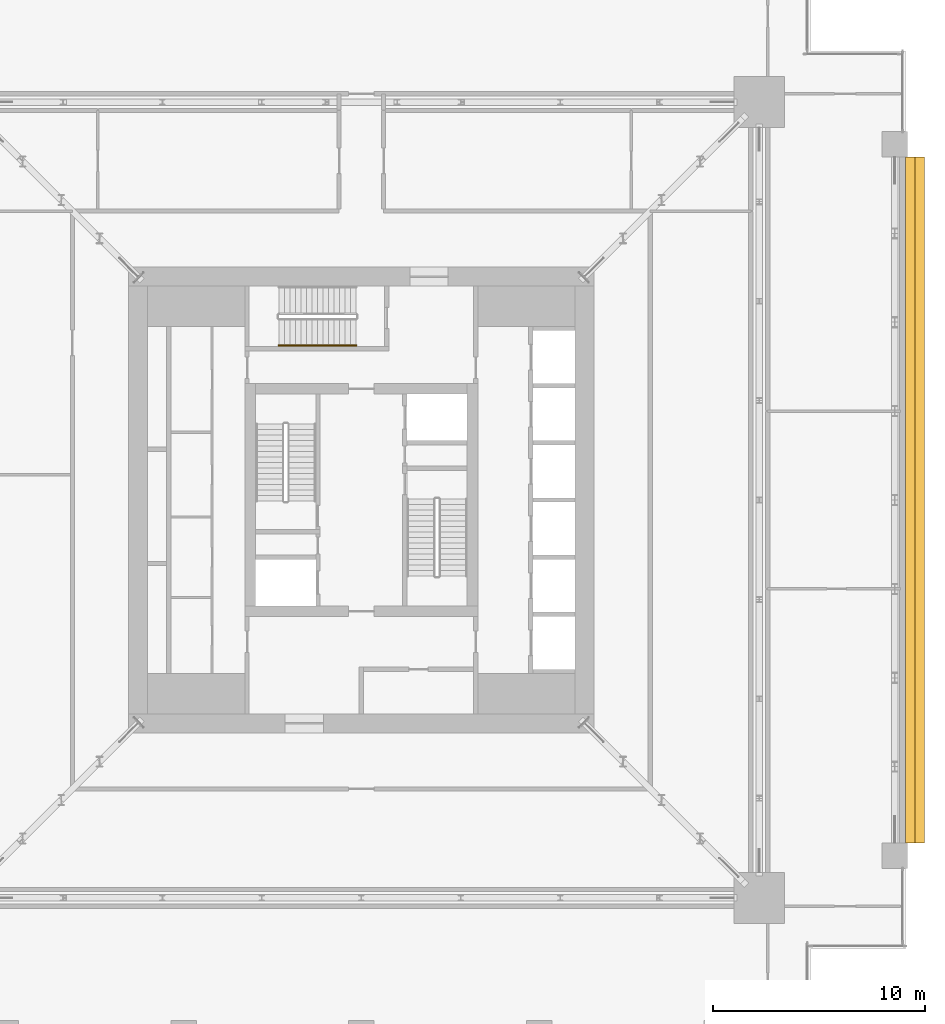
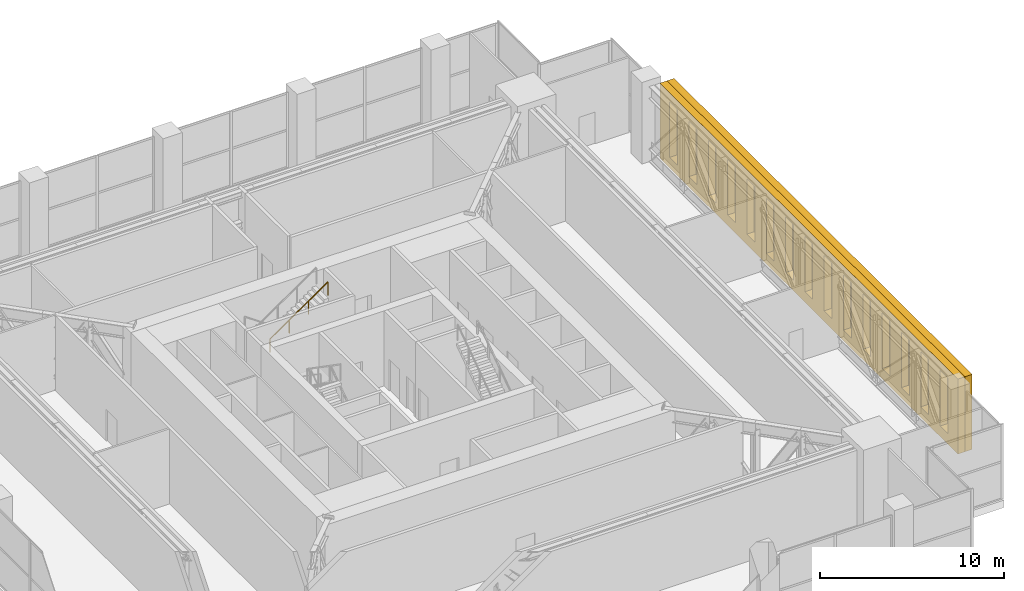
# One storey, part 20 of 21: 2 shading devices, 1 railing.
"""IFC4 building model written with IfcOpenShell, lengths in metres."""

import ifcopenshell
import ifcopenshell.guid

model = None  # the IFC model being written
_history = None  # IfcOwnerHistory: only IFC2X3 demands one
_inside = {}  # id of a spatial element -> (the spatial element, [elements in it])
_under = {}  # id of a project, library or spatial element -> (it, [spatial elements below it])
_declared = {}  # id of a project -> (the project, [libraries it declares])
_typed = {}  # id of a type object -> (the type object, [elements of that type])
_made_of = {}  # id of a material, layer set ... -> (it, [elements and type objects made of it])


def new_model(schema):
    """Start an empty IFC model of exactly this schema.

    Asked for "IFC4X3", IfcOpenShell would pick the latest addendum, in which some entities
    have other attributes; the version numbers below select the first issue.
    IFC2X3 requires an IfcOwnerHistory on every rooted entity: one is made here for all.
    """
    global model, _history
    if schema == "IFC4X3":
        model = ifcopenshell.file(schema_version=(4, 3, 0, 0))
    else:
        model = ifcopenshell.file(schema=schema)
    _inside.clear()
    _under.clear()
    _declared.clear()
    _typed.clear()
    _made_of.clear()
    _history = None
    if model.schema == "IFC2X3":
        org = make("IfcOrganization", Name="unknown")
        user = make(
            "IfcPersonAndOrganization",
            ThePerson=make("IfcPerson", FamilyName="unknown"),
            TheOrganization=org,
        )
        app = make(
            "IfcApplication",
            ApplicationDeveloper=org,
            Version="unknown",
            ApplicationFullName="unknown",
            ApplicationIdentifier="unknown",
        )
        _history = make(
            "IfcOwnerHistory",
            OwningUser=user,
            OwningApplication=app,
            ChangeAction="ADDED",
            CreationDate=0,
        )
    return model


def make(cls, **values):
    """One entity of the class cls with the attributes given. An attribute that is None is left unset."""
    return model.create_entity(
        cls, **{name: value for name, value in values.items() if value is not None}
    )


def rooted(cls, **values):
    """An entity with a GlobalId (a new one), such as an element, a storey or a relation."""
    return make(cls, GlobalId=ifcopenshell.guid.new(), OwnerHistory=_history, **values)


def si_unit(unit_type, name, prefix=None):
    """IfcSIUnit, for example si_unit("LENGTHUNIT", "METRE", prefix="MILLI")."""
    return make("IfcSIUnit", UnitType=unit_type, Prefix=prefix, Name=name)


def assignment(units):
    """IfcUnitAssignment: the units of a project."""
    return None if units is None else make("IfcUnitAssignment", Units=units)


def point(xyz):
    """IfcCartesianPoint."""
    return None if xyz is None else make("IfcCartesianPoint", Coordinates=xyz)


def direction(xyz):
    """IfcDirection."""
    return None if xyz is None else make("IfcDirection", DirectionRatios=xyz)


def frame(location, z_axis=None, x_axis=None):
    """IfcAxis2Placement3D, a coordinate frame: its origin and axes. An axis left out is left unset."""
    return make(
        "IfcAxis2Placement3D",
        Location=point(location),
        Axis=direction(z_axis),
        RefDirection=direction(x_axis),
    )


def frame_2d(location, x_axis=None):
    """IfcAxis2Placement2D, a coordinate frame in the plane: its origin and x axis."""
    return make(
        "IfcAxis2Placement2D", Location=point(location), RefDirection=direction(x_axis)
    )


def origin():
    """The frame at (0, 0, 0) with its axes left unset."""
    return frame((0.0, 0.0, 0.0))


def origin_2d():
    """The frame at (0, 0) in the plane with its x axis left unset."""
    return frame_2d((0.0, 0.0))


def place(relative_to, where):
    """IfcLocalPlacement: puts the frame where relative to a parent placement (None: the world)."""
    return make(
        "IfcLocalPlacement", PlacementRelTo=relative_to, RelativePlacement=where
    )


def context(
    kind, dimensions, precision=None, world=None, true_north=None, identifier=None
):
    """IfcGeometricRepresentationContext, for example the 3D "Model" context."""
    return make(
        "IfcGeometricRepresentationContext",
        ContextIdentifier=identifier,
        ContextType=kind,
        CoordinateSpaceDimension=dimensions,
        Precision=precision,
        WorldCoordinateSystem=world,
        TrueNorth=true_north,
    )


def subcontext(parent, identifier, kind, view, scale=None):
    """IfcGeometricRepresentationSubContext, for example "Body" below "Model"."""
    return make(
        "IfcGeometricRepresentationSubContext",
        ContextIdentifier=identifier,
        ContextType=kind,
        ParentContext=parent,
        TargetScale=scale,
        TargetView=view,
    )


def project(units=None, contexts=None):
    """IfcProject with its units and contexts."""
    return rooted(
        "IfcProject",
        Name="project",
        RepresentationContexts=contexts,
        UnitsInContext=assignment(units),
    )


def spatial(cls, under=None, at=None, **own):
    """A site, building, storey or space (cls), placed at a placement, below another one or the project."""
    s = rooted(cls, ObjectPlacement=at, **own)
    if under is not None:
        _under.setdefault(under.id(), (under, []))[1].append(s)
    return s


def polyline(points):
    """IfcPolyline through the points."""
    return make("IfcPolyline", Points=[point(p) for p in points])


def profile(cls, at=None, kind="AREA", **sizes):
    """A parametric profile (cls). Its sizes go by their IFC names, for example OverallWidth=200.0."""
    return make(cls, ProfileType=kind, Position=at, **sizes)


def rectangle(**sizes):
    """IfcRectangleProfileDef."""
    return profile("IfcRectangleProfileDef", **sizes)


def outline(outer, holes=None, kind="AREA"):
    """IfcArbitraryClosedProfileDef: a profile drawn as a closed curve; with holes, ...WithVoids."""
    if holes is None:
        return make("IfcArbitraryClosedProfileDef", ProfileType=kind, OuterCurve=outer)
    return make(
        "IfcArbitraryProfileDefWithVoids",
        ProfileType=kind,
        OuterCurve=outer,
        InnerCurves=holes,
    )


def extrude(swept, where, along, depth):
    """IfcExtrudedAreaSolid: the profile swept, set in the frame where, extruded along a direction by depth."""
    return make(
        "IfcExtrudedAreaSolid",
        SweptArea=swept,
        Position=where,
        ExtrudedDirection=direction(along),
        Depth=depth,
    )


def shape(context_of_items, identifier, shape_type, items):
    """IfcShapeRepresentation: the items that make up one representation, for example the "Body"."""
    return make(
        "IfcShapeRepresentation",
        ContextOfItems=context_of_items,
        RepresentationIdentifier=identifier,
        RepresentationType=shape_type,
        Items=items,
    )


def material(Name=None, Category=None):
    """IfcMaterial."""
    return make("IfcMaterial", Name=Name, Category=Category)


def made_of(thing, what):
    """Note that an element or type object is made of a material, layer set ...; save() writes the relation."""
    if what is not None:
        _made_of.setdefault(what.id(), (what, []))[1].append(thing)
    return thing


def type_object(cls, material=None, **own):
    """A type object (cls), such as IfcWallType, which elements share."""
    return made_of(rooted(cls, **own), material)


def element(
    cls,
    number,
    at=None,
    inside=None,
    cuts=None,
    type_object=None,
    material=None,
    context=None,
    identifier="Body",
    shape_type=None,
    held_by="IfcProductDefinitionShape",
    body=None,
    shapes=None,
    **own,
):
    """One element of the class cls, such as IfcWall. Its Tag is "e" and its number.

    at: its placement. inside: the storey or other place that contains it. cuts: it is an
    opening in that element (IfcRelVoidsElement). A single representation is given by context,
    identifier, shape_type and body (its items); several are given by shapes. held_by: the class
    of the entity that holds the representations. save() writes the other relations.
    """
    e = rooted(cls, Tag="e%d" % number, ObjectPlacement=at, **own)
    if body is not None:
        shapes = [shape(context, identifier, shape_type, body)]
    if shapes is not None:
        e.Representation = make(held_by, Representations=shapes)
    if inside is not None:
        _inside.setdefault(inside.id(), (inside, []))[1].append(e)
    if cuts is not None:
        rooted(
            "IfcRelVoidsElement", RelatingBuildingElement=cuts, RelatedOpeningElement=e
        )
    if type_object is not None:
        _typed.setdefault(type_object.id(), (type_object, []))[1].append(e)
    return made_of(e, material)


def aggregate(whole, parts):
    """IfcRelAggregates: a whole, such as a stair, and the parts it consists of."""
    return rooted("IfcRelAggregates", RelatingObject=whole, RelatedObjects=parts)


def save(model, path):
    """Write the relations noted so far, then the file.

    IfcRelAggregates (storeys below a building ...), IfcRelContainedInSpatialStructure (elements
    in a storey), IfcRelDefinesByType, IfcRelAssociatesMaterial and IfcRelDeclares: one each for
    every whole, place, type object, material and project.
    """
    for whole, parts in _under.values():
        aggregate(whole, parts)
    for where, things in _inside.values():
        rooted(
            "IfcRelContainedInSpatialStructure",
            RelatedElements=things,
            RelatingStructure=where,
        )
    for kind, things in _typed.values():
        rooted("IfcRelDefinesByType", RelatedObjects=things, RelatingType=kind)
    for what, things in _made_of.values():
        rooted("IfcRelAssociatesMaterial", RelatedObjects=things, RelatingMaterial=what)
    for by, libraries in _declared.values():
        rooted("IfcRelDeclares", RelatingContext=by, RelatedDefinitions=libraries)
    model.write(path)


model = new_model("IFC4")

# Units and contexts
model_context = context("Model", 3, precision=1e-05, world=origin(), true_north=direction((0.0, 1.0)))
body_context = subcontext(model_context, "Body", "Model", "MODEL_VIEW")
ifc_project = project(units=[si_unit("LENGTHUNIT", "METRE"), si_unit("AREAUNIT", "SQUARE_METRE"), si_unit("VOLUMEUNIT", "CUBIC_METRE"), si_unit("PLANEANGLEUNIT", "RADIAN"), si_unit("MASSUNIT", "GRAM", prefix="KILO")], contexts=[model_context])

# Site, building, storey
site_placement = place(None, origin())
site = spatial("IfcSite", under=ifc_project, at=site_placement, CompositionType="ELEMENT")
building_placement = place(site_placement, origin())
building = spatial("IfcBuilding", under=site, at=building_placement, Name="Khepri Terraces", CompositionType="ELEMENT")
storey_placement = place(building_placement, frame((0.0, 0.0, 235.199951171875)))
storey = spatial("IfcBuildingStorey", under=building, at=storey_placement, Name="L56", CompositionType="ELEMENT", Elevation=235.199951171875)

# Railing
ifc_material_1 = material(Name="Stainless steel 316", Category="steel")
railing_type = type_object("IfcRailingType", Name="RL-CORE-HANDRAIL", PredefinedType="HANDRAIL", material=ifc_material_1)
railing_placement = place(storey_placement, frame((-3.889892578125, 7.300048828125, 2.880126953125)))
element("IfcRailing", 1, at=railing_placement, inside=storey, type_object=railing_type, Name="L56 ST-3 stair handrail 2", PredefinedType="HANDRAIL", context=body_context, shape_type="SweptSolid", body=[
    extrude(rectangle(XDim=0.050048828125, YDim=0.050048828125, at=origin_2d()), frame((0.0, 0.0, 0.875), z_axis=(0.822182265111, 0.0, 0.569224316888), x_axis=(0.0, 1.0, 0.0)), (0.0, 0.0, 1.0), 4.427001953125),
    extrude(rectangle(XDim=0.050048828125, YDim=0.050048828125, at=origin_2d()), origin(), (0.0, 0.0, 1.0), 0.849853515625),
    extrude(rectangle(XDim=0.050048828125, YDim=0.050048828125, at=origin_2d()), frame((1.21337890625, 0.0, 0.840087890625)), (0.0, 0.0, 1.0), 0.849853515625),
    extrude(rectangle(XDim=0.050048828125, YDim=0.050048828125, at=origin_2d()), frame((2.426513671875, 0.0, 1.679931640625)), (0.0, 0.0, 1.0), 0.849853515625),
    extrude(rectangle(XDim=0.050048828125, YDim=0.050048828125, at=origin_2d()), frame((3.639892578125, 0.0, 2.52001953125)), (0.0, 0.0, 1.0), 0.849853515625),
])

# Shading devices
ifc_material_2 = material(Name="Precast concrete C50/60 warm stone", Category="masonry")
shading_device_type_1 = type_object("IfcShadingDeviceType", Name="SCR-CELL-INNER-450", PredefinedType="USERDEFINED", material=ifc_material_2)
shading_device_1_placement = place(storey_placement, frame((25.719970703125, -16.199951171875, 0.0), z_axis=(1.0, 0.0, 0.0), x_axis=(0.0, 1.0, 0.0)))
element("IfcShadingDevice", 2, at=shading_device_1_placement, inside=storey, type_object=shading_device_type_1, Name="Cell screen L56 E in", ObjectType="SCREEN", PredefinedType="USERDEFINED", context=body_context, shape_type="SweptSolid", body=[
    extrude(outline(polyline([(0.0, 0.0), (32.39990234375, 0.0), (32.39990234375, 4.97998046875), (0.0, 4.97998046875), (0.0, 0.0)]), holes=[polyline([(1.07373046875, 0.699951171875), (1.92626953125, 0.699951171875), (1.92626953125, 4.3798828125), (1.07373046875, 4.3798828125), (1.07373046875, 0.699951171875)]), polyline([(3.173583984375, 0.699951171875), (4.0263671875, 0.699951171875), (4.0263671875, 4.3798828125), (3.173583984375, 4.3798828125), (3.173583984375, 0.699951171875)]), polyline([(5.273681640625, 0.699951171875), (6.126220703125, 0.699951171875), (6.126220703125, 4.3798828125), (5.273681640625, 4.3798828125), (5.273681640625, 0.699951171875)]), polyline([(7.373779296875, 0.699951171875), (8.226318359375, 0.699951171875), (8.226318359375, 4.3798828125), (7.373779296875, 4.3798828125), (7.373779296875, 0.699951171875)]), polyline([(9.4736328125, 0.699951171875), (10.326416015625, 0.699951171875), (10.326416015625, 4.3798828125), (9.4736328125, 4.3798828125), (9.4736328125, 0.699951171875)]), polyline([(11.57373046875, 0.699951171875), (12.42626953125, 0.699951171875), (12.42626953125, 4.3798828125), (11.57373046875, 4.3798828125), (11.57373046875, 0.699951171875)]), polyline([(13.673583984375, 0.699951171875), (14.5263671875, 0.699951171875), (14.5263671875, 4.3798828125), (13.673583984375, 4.3798828125), (13.673583984375, 0.699951171875)]), polyline([(15.773681640625, 0.699951171875), (16.626220703125, 0.699951171875), (16.626220703125, 4.3798828125), (15.773681640625, 4.3798828125), (15.773681640625, 0.699951171875)]), polyline([(17.873779296875, 0.699951171875), (18.726318359375, 0.699951171875), (18.726318359375, 4.3798828125), (17.873779296875, 4.3798828125), (17.873779296875, 0.699951171875)]), polyline([(19.9736328125, 0.699951171875), (20.826416015625, 0.699951171875), (20.826416015625, 4.3798828125), (19.9736328125, 4.3798828125), (19.9736328125, 0.699951171875)]), polyline([(22.07373046875, 0.699951171875), (22.92626953125, 0.699951171875), (22.92626953125, 4.3798828125), (22.07373046875, 4.3798828125), (22.07373046875, 0.699951171875)]), polyline([(24.173583984375, 0.699951171875), (25.0263671875, 0.699951171875), (25.0263671875, 4.3798828125), (24.173583984375, 4.3798828125), (24.173583984375, 0.699951171875)]), polyline([(26.273681640625, 0.699951171875), (27.126220703125, 0.699951171875), (27.126220703125, 4.3798828125), (26.273681640625, 4.3798828125), (26.273681640625, 0.699951171875)]), polyline([(28.373779296875, 0.699951171875), (29.226318359375, 0.699951171875), (29.226318359375, 4.3798828125), (28.373779296875, 4.3798828125), (28.373779296875, 0.699951171875)]), polyline([(30.4736328125, 0.699951171875), (31.326416015625, 0.699951171875), (31.326416015625, 4.3798828125), (30.4736328125, 4.3798828125), (30.4736328125, 0.699951171875)])]), origin(), (0.0, 0.0, 1.0), 0.449951171875),
])
shading_device_type_2 = type_object("IfcShadingDeviceType", Name="SCR-CELL-OUTER-450", PredefinedType="USERDEFINED", material=ifc_material_2)
shading_device_2_placement = place(storey_placement, frame((26.169921875, -16.199951171875, 0.0), z_axis=(1.0, 0.0, 0.0), x_axis=(0.0, 1.0, 0.0)))
element("IfcShadingDevice", 3, at=shading_device_2_placement, inside=storey, type_object=shading_device_type_2, Name="Cell screen L56 E out", ObjectType="SCREEN", PredefinedType="USERDEFINED", context=body_context, shape_type="SweptSolid", body=[
    extrude(outline(polyline([(0.0, 0.0), (32.39990234375, 0.0), (32.39990234375, 4.97998046875), (0.0, 4.97998046875), (0.0, 0.0)]), holes=[polyline([(0.7236328125, 0.449951171875), (2.2763671875, 0.449951171875), (2.2763671875, 4.6298828125), (0.7236328125, 4.6298828125), (0.7236328125, 0.449951171875)]), polyline([(2.82373046875, 0.449951171875), (4.376220703125, 0.449951171875), (4.376220703125, 4.6298828125), (2.82373046875, 4.6298828125), (2.82373046875, 0.449951171875)]), polyline([(4.923583984375, 0.449951171875), (6.476318359375, 0.449951171875), (6.476318359375, 4.6298828125), (4.923583984375, 4.6298828125), (4.923583984375, 0.449951171875)]), polyline([(7.023681640625, 0.449951171875), (8.576416015625, 0.449951171875), (8.576416015625, 4.6298828125), (7.023681640625, 4.6298828125), (7.023681640625, 0.449951171875)]), polyline([(9.123779296875, 0.449951171875), (10.67626953125, 0.449951171875), (10.67626953125, 4.6298828125), (9.123779296875, 4.6298828125), (9.123779296875, 0.449951171875)]), polyline([(11.2236328125, 0.449951171875), (12.7763671875, 0.449951171875), (12.7763671875, 4.6298828125), (11.2236328125, 4.6298828125), (11.2236328125, 0.449951171875)]), polyline([(13.32373046875, 0.449951171875), (14.876220703125, 0.449951171875), (14.876220703125, 4.6298828125), (13.32373046875, 4.6298828125), (13.32373046875, 0.449951171875)]), polyline([(15.423583984375, 0.449951171875), (16.976318359375, 0.449951171875), (16.976318359375, 4.6298828125), (15.423583984375, 4.6298828125), (15.423583984375, 0.449951171875)]), polyline([(17.523681640625, 0.449951171875), (19.076416015625, 0.449951171875), (19.076416015625, 4.6298828125), (17.523681640625, 4.6298828125), (17.523681640625, 0.449951171875)]), polyline([(19.623779296875, 0.449951171875), (21.17626953125, 0.449951171875), (21.17626953125, 4.6298828125), (19.623779296875, 4.6298828125), (19.623779296875, 0.449951171875)]), polyline([(21.7236328125, 0.449951171875), (23.2763671875, 0.449951171875), (23.2763671875, 4.6298828125), (21.7236328125, 4.6298828125), (21.7236328125, 0.449951171875)]), polyline([(23.82373046875, 0.449951171875), (25.376220703125, 0.449951171875), (25.376220703125, 4.6298828125), (23.82373046875, 4.6298828125), (23.82373046875, 0.449951171875)]), polyline([(25.923583984375, 0.449951171875), (27.476318359375, 0.449951171875), (27.476318359375, 4.6298828125), (25.923583984375, 4.6298828125), (25.923583984375, 0.449951171875)]), polyline([(28.023681640625, 0.449951171875), (29.576416015625, 0.449951171875), (29.576416015625, 4.6298828125), (28.023681640625, 4.6298828125), (28.023681640625, 0.449951171875)]), polyline([(30.123779296875, 0.449951171875), (31.67626953125, 0.449951171875), (31.67626953125, 4.6298828125), (30.123779296875, 4.6298828125), (30.123779296875, 0.449951171875)])]), origin(), (0.0, 0.0, 1.0), 0.4501953125),
])

save(model, "model.ifc")
